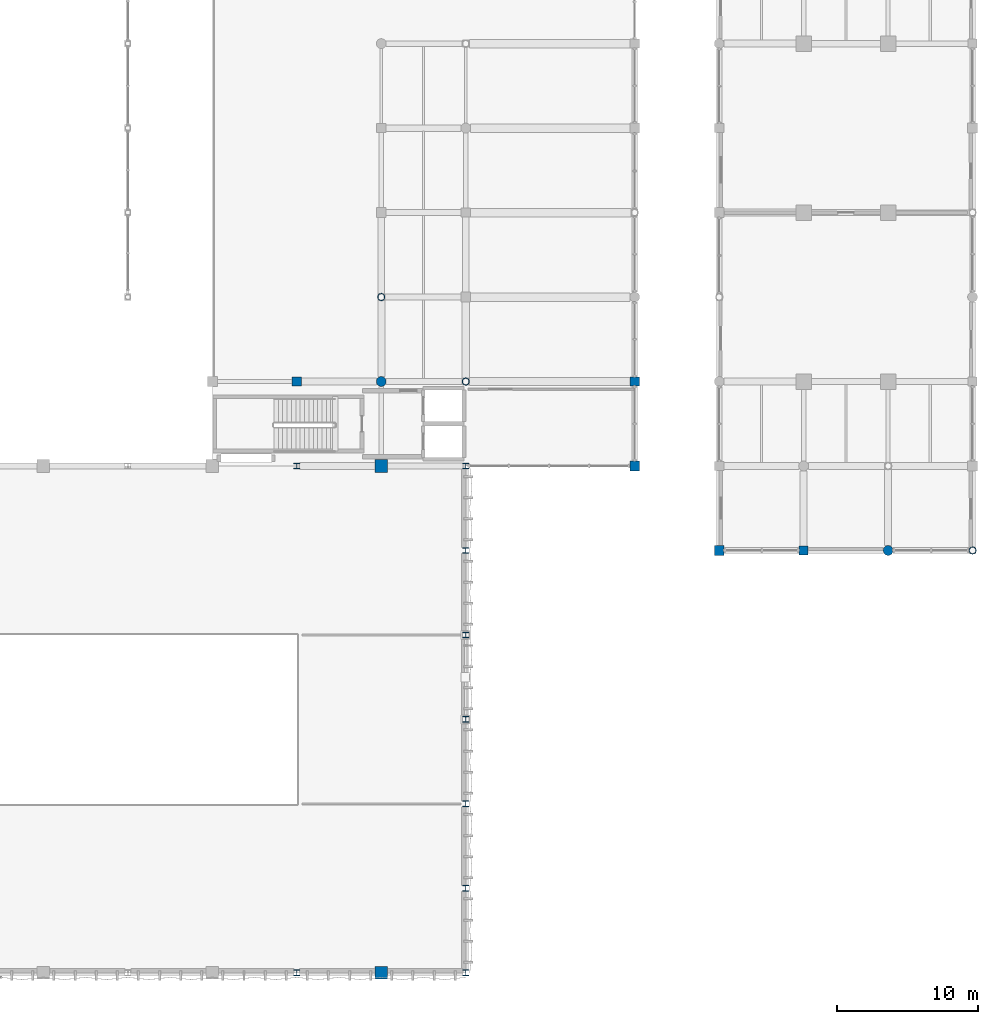
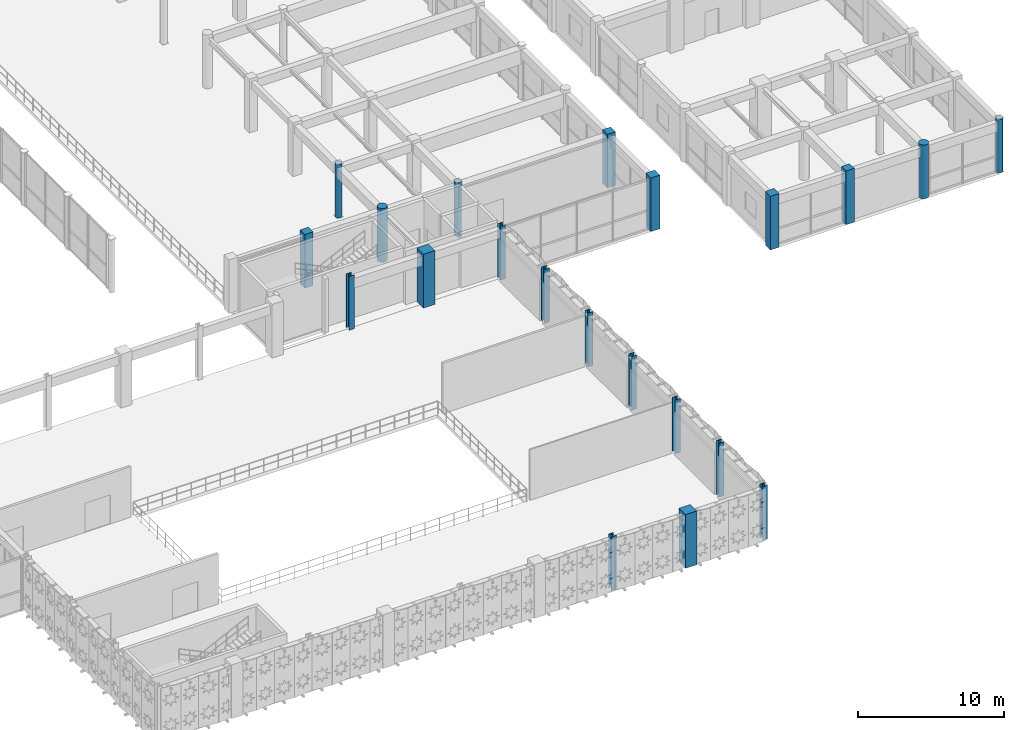
# One storey, part 11 of 116: 21 columns.
"""IFC4 building model written with IfcOpenShell, lengths in metres."""

from ifc_helpers import new_model, si_unit, direction, frame, origin, origin_2d, place, context, subcontext, project, spatial, rectangle, circle, hollow_circle, i_section, extrude, material, material_profile, profile_set, type_object, element, save


model = new_model("IFC4")

# Units and contexts
model_context = context("Model", 3, precision=1e-05, world=origin(), true_north=direction((0.0, 1.0)))
body_context = subcontext(model_context, "Body", "Model", "MODEL_VIEW")
ifc_project = project(units=[si_unit("LENGTHUNIT", "METRE"), si_unit("AREAUNIT", "SQUARE_METRE"), si_unit("VOLUMEUNIT", "CUBIC_METRE"), si_unit("PLANEANGLEUNIT", "RADIAN"), si_unit("MASSUNIT", "GRAM", prefix="KILO"), si_unit("THERMODYNAMICTEMPERATUREUNIT", "KELVIN"), si_unit("POWERUNIT", "WATT")], contexts=[model_context])

# Site, building, storey
site_placement = place(None, origin())
site = spatial("IfcSite", under=ifc_project, at=site_placement, CompositionType="ELEMENT")
building_placement = place(site_placement, origin())
building = spatial("IfcBuilding", under=site, at=building_placement, Name="Phaisarnlok Congress Hotel", CompositionType="ELEMENT")
storey_placement = place(building_placement, frame((0.0, 0.0, 10.5)))
storey = spatial("IfcBuildingStorey", under=building, at=storey_placement, Name="L02", CompositionType="ELEMENT", Elevation=10.5)

# Columns
ifc_material_1 = material(Name="Concrete C50/60", Category="concrete")
ifc_material_profile_1 = material_profile(ifc_material_1, rectangle(XDim=0.64990234375, YDim=0.64990234375, at=origin_2d()), Name="RC 650x650")
ifc_profile_set_1 = profile_set([ifc_material_profile_1], Name="Concrete C50/60")
column_type_1 = type_object("IfcColumnType", Name="COL-RC-650", PredefinedType="COLUMN", material=ifc_profile_set_1)
for number, where, z_axis, x_axis, name in (
    (1, (132.0, 42.0, 0.0), (0.0, 0.0, 1.0), (1.0, 0.0, 0.0), "Column C-04 (L02)"),
    (2, (156.0, 42.0, 0.0), (0.0, 0.0, 1.0), (1.0, 0.0, 0.0), "Column C-04 (L02)"),
    (3, (168.0, 30.0, 0.0), (0.0, 0.0, 1.0), (1.0, 0.0, 0.0), "Column C-04 (L02)"),
):
    element("IfcColumn", number, at=place(storey_placement, frame(where, z_axis=z_axis, x_axis=x_axis)), inside=storey, type_object=column_type_1, Name=name, PredefinedType="COLUMN", context=body_context, shape_type="SweptSolid", body=[
        extrude(rectangle(XDim=0.64990234375, YDim=0.64990234375, at=origin_2d()), origin(), (0.0, 0.0, 1.0), 4.5),
    ])
ifc_material_profile_2 = material_profile(ifc_material_1, rectangle(XDim=0.699951171875, YDim=0.699951171875, at=origin_2d()), Name="RC 700x700")
ifc_profile_set_2 = profile_set([ifc_material_profile_2], Name="Concrete C50/60")
column_type_2 = type_object("IfcColumnType", Name="COL-RC-700", PredefinedType="COLUMN", material=ifc_profile_set_2)
for number, where, z_axis, x_axis, name in (
    (4, (156.0, 36.0, 0.0), (0.0, 0.0, 1.0), (1.0, 0.0, 0.0), "Column C-05 (L02)"),
    (5, (162.0, 30.0, 0.0), (0.0, 0.0, 1.0), (1.0, 0.0, 0.0), "Column C-05 (L02)"),
):
    element("IfcColumn", number, at=place(storey_placement, frame(where, z_axis=z_axis, x_axis=x_axis)), inside=storey, type_object=column_type_2, Name=name, PredefinedType="COLUMN", context=body_context, shape_type="SweptSolid", body=[
        extrude(rectangle(XDim=0.699951171875, YDim=0.699951171875, at=origin_2d()), origin(), (0.0, 0.0, 1.0), 4.5),
    ])
ifc_material_profile_3 = material_profile(ifc_material_1, rectangle(XDim=0.89990234375, YDim=0.89990234375, at=origin_2d()), Name="RC 900x900")
ifc_profile_set_3 = profile_set([ifc_material_profile_3], Name="Concrete C50/60")
column_type_3 = type_object("IfcColumnType", Name="COL-RC-900", PredefinedType="COLUMN", material=ifc_profile_set_3)
column_1_placement = place(storey_placement, frame((138.0, 36.0, 0.0), z_axis=(0.0, 0.0, 1.0), x_axis=(1.0, 0.0, 0.0)))
element("IfcColumn", 6, at=column_1_placement, inside=storey, type_object=column_type_3, Name="Column C-08 (L02)", PredefinedType="COLUMN", context=body_context, shape_type="SweptSolid", body=[
    extrude(rectangle(XDim=0.89990234375, YDim=0.89990234375, at=origin_2d()), origin(), (0.0, 0.0, 1.0), 4.5),
])
ifc_material_profile_4 = material_profile(ifc_material_1, rectangle(XDim=0.89990234375, YDim=0.89990234375, at=origin_2d()), Name="RC 900x900")
ifc_profile_set_4 = profile_set([ifc_material_profile_4], Name="Concrete C50/60")
column_type_4 = type_object("IfcColumnType", Name="COL-RC-900-EXT", PredefinedType="COLUMN", material=ifc_profile_set_4)
column_2_placement = place(storey_placement, frame((138.0, 0.0, 0.0), z_axis=(0.0, 0.0, 1.0), x_axis=(1.0, 0.0, 0.0)))
element("IfcColumn", 7, at=column_2_placement, inside=storey, type_object=column_type_4, Name="Column C-08E (L02)", PredefinedType="COLUMN", context=body_context, shape_type="SweptSolid", body=[
    extrude(rectangle(XDim=0.89990234375, YDim=0.89990234375, at=origin_2d()), origin(), (0.0, 0.0, 1.0), 4.5),
])
ifc_material_profile_5 = material_profile(ifc_material_1, circle(Radius=0.35009765625, at=origin_2d()), Name="RCC D700")
ifc_profile_set_5 = profile_set([ifc_material_profile_5], Name="Concrete C50/60")
column_type_5 = type_object("IfcColumnType", Name="COL-RCC-700", PredefinedType="COLUMN", material=ifc_profile_set_5)
for number, where, z_axis, x_axis, name in (
    (8, (138.0, 42.0, 0.0), (0.0, 0.0, 1.0), (1.0, 0.0, 0.0), "Column C-13 (L02)"),
    (9, (174.0, 30.0, 0.0), (0.0, 0.0, 1.0), (1.0, 0.0, 0.0), "Column C-13 (L02)"),
):
    element("IfcColumn", number, at=place(storey_placement, frame(where, z_axis=z_axis, x_axis=x_axis)), inside=storey, type_object=column_type_5, Name=name, PredefinedType="COLUMN", context=body_context, shape_type="SweptSolid", body=[
        extrude(circle(Radius=0.35009765625, at=origin_2d()), origin(), (0.0, 0.0, 1.0), 4.5),
    ])
ifc_material_2 = material(Name="Steel S355", Category="steel")
ifc_material_profile_6 = material_profile(ifc_material_2, hollow_circle(Radius=0.25390625, WallThickness=0.02490234375, at=origin_2d()), Name="CHS 508x25")
ifc_profile_set_6 = profile_set([ifc_material_profile_6], Name="Steel S355")
column_type_6 = type_object("IfcColumnType", Name="COL-STL-CHS508", PredefinedType="COLUMN", material=ifc_profile_set_6)
for number, where, z_axis, x_axis, name in (
    (10, (138.0, 48.0, 0.0), (0.0, 0.0, 1.0), (1.0, 0.0, 0.0), "Column SC-03 (L02)"),
    (11, (144.0, 42.0, 0.0), (0.0, 0.0, 1.0), (1.0, 0.0, 0.0), "Column SC-03 (L02)"),
):
    element("IfcColumn", number, at=place(storey_placement, frame(where, z_axis=z_axis, x_axis=x_axis)), inside=storey, type_object=column_type_6, Name=name, PredefinedType="COLUMN", context=body_context, shape_type="SweptSolid", body=[
        extrude(hollow_circle(Radius=0.25390625, WallThickness=0.02490234375, at=origin_2d()), origin(), (0.0, 0.0, 1.0), 4.5),
    ])
ifc_material_profile_7 = material_profile(ifc_material_2, hollow_circle(Radius=0.25390625, WallThickness=0.02490234375, at=origin_2d()), Name="CHS 508x25")
ifc_profile_set_7 = profile_set([ifc_material_profile_7], Name="Steel S355")
column_type_7 = type_object("IfcColumnType", Name="COL-STL-CHS508-EXT", PredefinedType="COLUMN", material=ifc_profile_set_7)
column_3_placement = place(storey_placement, frame((180.0, 30.0, 0.0), z_axis=(0.0, 0.0, 1.0), x_axis=(1.0, 0.0, 0.0)))
element("IfcColumn", 12, at=column_3_placement, inside=storey, type_object=column_type_7, Name="Column SC-03E (L02)", PredefinedType="COLUMN", context=body_context, shape_type="SweptSolid", body=[
    extrude(hollow_circle(Radius=0.25390625, WallThickness=0.02490234375, at=origin_2d()), origin(), (0.0, 0.0, 1.0), 4.5),
])
ifc_material_profile_8 = material_profile(ifc_material_2, i_section(OverallWidth=0.406005859375, OverallDepth=0.416015625, WebThickness=0.021484375, FlangeThickness=0.034912109375, FilletRadius=0.014892578125, at=origin_2d()), Name="HD 400x382")
ifc_profile_set_8 = profile_set([ifc_material_profile_8], Name="Steel S355")
column_type_8 = type_object("IfcColumnType", Name="COL-STL-HD382", PredefinedType="COLUMN", material=ifc_profile_set_8)
for number, where, z_axis, x_axis, name in (
    (13, (132.0, 36.0, 0.0), (0.0, 0.0, 1.0), (1.0, 0.0, 0.0), "Column SC-05 (L02)"),
    (14, (144.0, 6.0, 0.0), (0.0, 0.0, 1.0), (1.0, 0.0, 0.0), "Column SC-05 (L02)"),
    (15, (144.0, 12.0, 0.0), (0.0, 0.0, 1.0), (1.0, 0.0, 0.0), "Column SC-05 (L02)"),
    (16, (144.0, 18.0, 0.0), (0.0, 0.0, 1.0), (1.0, 0.0, 0.0), "Column SC-05 (L02)"),
    (17, (144.0, 24.0, 0.0), (0.0, 0.0, 1.0), (1.0, 0.0, 0.0), "Column SC-05 (L02)"),
    (18, (144.0, 30.0, 0.0), (0.0, 0.0, 1.0), (1.0, 0.0, 0.0), "Column SC-05 (L02)"),
    (19, (144.0, 36.0, 0.0), (0.0, 0.0, 1.0), (1.0, 0.0, 0.0), "Column SC-05 (L02)"),
):
    element("IfcColumn", number, at=place(storey_placement, frame(where, z_axis=z_axis, x_axis=x_axis)), inside=storey, type_object=column_type_8, Name=name, PredefinedType="COLUMN", context=body_context, shape_type="SweptSolid", body=[
        extrude(i_section(OverallWidth=0.406005859375, OverallDepth=0.416015625, WebThickness=0.021484375, FlangeThickness=0.034912109375, FilletRadius=0.014892578125, at=origin_2d()), origin(), (0.0, 0.0, 1.0), 4.5),
    ])
ifc_material_profile_9 = material_profile(ifc_material_2, i_section(OverallWidth=0.406005859375, OverallDepth=0.416015625, WebThickness=0.021484375, FlangeThickness=0.034912109375, FilletRadius=0.014892578125, at=origin_2d()), Name="HD 400x382")
ifc_profile_set_9 = profile_set([ifc_material_profile_9], Name="Steel S355")
column_type_9 = type_object("IfcColumnType", Name="COL-STL-HD382-EXT", PredefinedType="COLUMN", material=ifc_profile_set_9)
for number, where, z_axis, x_axis, name in (
    (20, (132.0, 0.0, 0.0), (0.0, 0.0, 1.0), (1.0, 0.0, 0.0), "Column SC-05E (L02)"),
    (21, (144.0, 0.0, 0.0), (0.0, 0.0, 1.0), (1.0, 0.0, 0.0), "Column SC-05E (L02)"),
):
    element("IfcColumn", number, at=place(storey_placement, frame(where, z_axis=z_axis, x_axis=x_axis)), inside=storey, type_object=column_type_9, Name=name, PredefinedType="COLUMN", context=body_context, shape_type="SweptSolid", body=[
        extrude(i_section(OverallWidth=0.406005859375, OverallDepth=0.416015625, WebThickness=0.021484375, FlangeThickness=0.034912109375, FilletRadius=0.014892578125, at=origin_2d()), origin(), (0.0, 0.0, 1.0), 4.5),
    ])

save(model, "model.ifc")
